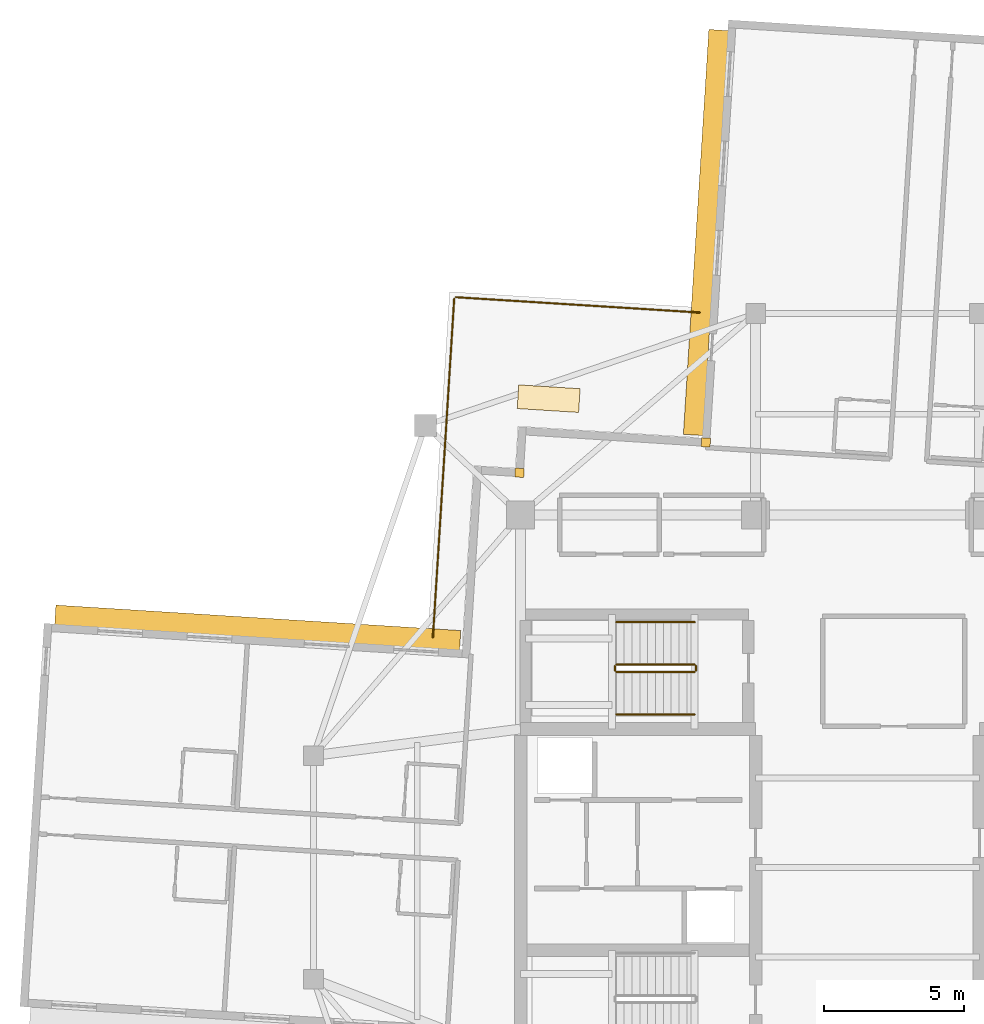
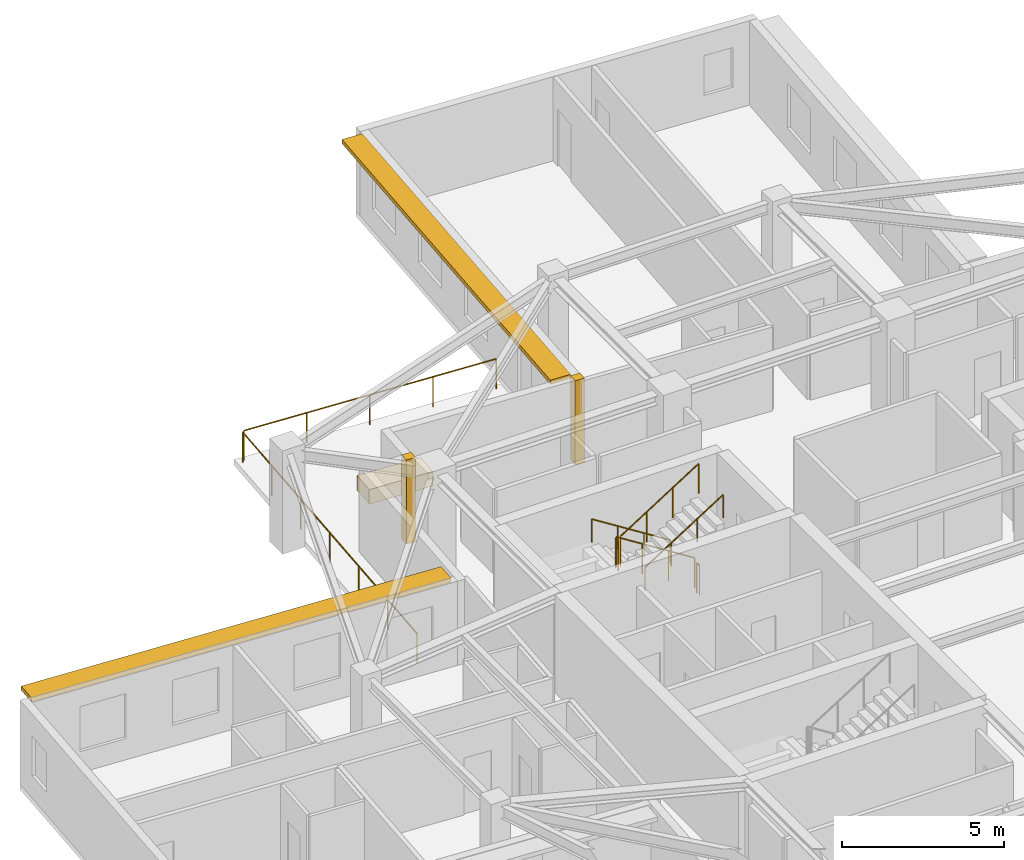
# One storey, part 11 of 12: 8 railings, 3 coverings, 2 shading devices.
"""IFC4 building model written with IfcOpenShell, lengths in metres."""

from ifc_helpers import new_model, si_unit, direction, frame, origin, origin_2d, place, context, subcontext, project, spatial, rectangle, circle, extrude, material, layer, layer_set, type_object, element, save


model = new_model("IFC4")

# Units and contexts
model_context = context("Model", 3, precision=1e-05, world=origin(), true_north=direction((0.0, 1.0)))
body_context = subcontext(model_context, "Body", "Model", "MODEL_VIEW")
ifc_project = project(units=[si_unit("LENGTHUNIT", "METRE"), si_unit("AREAUNIT", "SQUARE_METRE"), si_unit("VOLUMEUNIT", "CUBIC_METRE"), si_unit("PLANEANGLEUNIT", "RADIAN"), si_unit("MASSUNIT", "GRAM", prefix="KILO")], contexts=[model_context])

# Site, building, storey
site_placement = place(None, origin())
site = spatial("IfcSite", under=ifc_project, at=site_placement, CompositionType="ELEMENT")
building_placement = place(site_placement, origin())
building = spatial("IfcBuilding", under=site, at=building_placement, Name="Qingluan Cross Belvedere", CompositionType="ELEMENT")
storey_placement = place(building_placement, frame((0.0, 0.0, 249.89990234375)))
storey = spatial("IfcBuildingStorey", under=building, at=storey_placement, Name="L62", CompositionType="ELEMENT", Elevation=249.89990234375)

# Coverings
ifc_material_1 = material(Name="Precast concrete C45", Category="concrete")
ifc_layer_1 = layer(ifc_material_1, 0.1201171875, Name="ConcreteSpandrelCladding_120")
ifc_layer_set_1 = layer_set([ifc_layer_1], Name="Precast concrete C45")
covering_type_1 = type_object("IfcCoveringType", Name="ConcreteSpandrelCladding_120", PredefinedType="CLADDING", material=ifc_layer_set_1)
for number, where, z_axis, x_axis, name in (
    (1, (-12.438720703125, 14.10888671875, 0.0), (0.0, 0.0, 1.0), (0.998026728428, -0.062790519529, 0.0), "Corner closure L62-NW1"),
    (2, (-5.77734375, 15.192626953125, 0.0), (0.0, 0.0, 1.0), (0.998026728428, -0.062790519529, 0.0), "Corner closure L62-NW2"),
):
    element("IfcCovering", number, at=place(storey_placement, frame(where, z_axis=z_axis, x_axis=x_axis)), inside=storey, type_object=covering_type_1, Name=name, PredefinedType="CLADDING", context=body_context, shape_type="SweptSolid", body=[
        extrude(rectangle(XDim=0.320068359375, YDim=0.320068359375, at=origin_2d()), origin(), (0.0, 0.0, 1.0), 3.179931640625),
    ])

# Shading devices
ifc_material_2 = material(Name="Precast concrete C45", Category="concrete")
ifc_layer_2 = layer(ifc_material_2, 0.139892578125, Name="ConcreteSunshadeBand_700")
ifc_layer_set_2 = layer_set([ifc_layer_2], Name="Precast concrete C45")
shading_device_type = type_object("IfcShadingDeviceType", Name="ConcreteSunshadeBand_700", PredefinedType="USERDEFINED", material=ifc_layer_set_2)
for number, where, z_axis, x_axis, name in (
    (3, (-5.776123046875, 22.697509765625, 3.0), (0.0, 0.0, 1.0), (-0.062789090939, -0.998026818306, 0.0), "Concrete SUNSHADE L62-NB"),
    (4, (-21.794677734375, 8.575439453125, 3.0), (0.0, 0.0, 1.0), (-0.99802639199, 0.062795866837, 0.0), "Concrete SUNSHADE L62-WA"),
):
    element("IfcShadingDevice", number, at=place(storey_placement, frame(where, z_axis=z_axis, x_axis=x_axis)), inside=storey, type_object=shading_device_type, Name=name, ObjectType="SUNSHADE", PredefinedType="USERDEFINED", context=body_context, shape_type="SweptSolid", body=[
        extrude(rectangle(XDim=14.5, YDim=0.699951171875, at=origin_2d()), origin(), (0.0, 0.0, 1.0), 0.159912109375),
    ])

# Railings
ifc_material_3 = material(Name="Brushed stainless steel tubular handrail", Category="steel")
railing_type_1 = type_object("IfcRailingType", Name="StairPitchHandrail_900", PredefinedType="HANDRAIL", material=ifc_material_3)
railing_1_placement = place(storey_placement, frame((-6.179931640625, 8.77001953125, 0.177490234375)))
element("IfcRailing", 5, at=railing_1_placement, inside=storey, type_object=railing_type_1, Name="L62 ST3 stair handrail 1", PredefinedType="HANDRAIL", context=body_context, shape_type="SweptSolid", body=[
    extrude(circle(Radius=0.02392578125, at=origin_2d()), frame((0.0, 0.0, 0.8759765625), z_axis=(-0.844908973607, 0.0, 0.534910110503), x_axis=(0.0, -1.0, 0.0)), (0.0, 0.0, 1.0), 3.31396484375),
    extrude(circle(Radius=0.02099609375, at=origin_2d()), origin(), (0.0, 0.0, 1.0), 0.851806640625),
    extrude(circle(Radius=0.02099609375, at=origin_2d()), frame((-0.933349609375, 0.0, 0.5908203125)), (0.0, 0.0, 1.0), 0.851806640625),
    extrude(circle(Radius=0.02099609375, at=origin_2d()), frame((-1.86669921875, 0.0, 1.181884765625)), (0.0, 0.0, 1.0), 0.851806640625),
    extrude(circle(Radius=0.02099609375, at=origin_2d()), frame((-2.800048828125, 0.0, 1.772705078125)), (0.0, 0.0, 1.0), 0.851806640625),
])
railing_2_placement = place(storey_placement, frame((-8.97998046875, 5.469970703125, 2.12744140625)))
element("IfcRailing", 6, at=railing_2_placement, inside=storey, type_object=railing_type_1, Name="L62 ST3 stair handrail 2", PredefinedType="HANDRAIL", context=body_context, shape_type="SweptSolid", body=[
    extrude(circle(Radius=0.02392578125, at=origin_2d()), frame((0.0, 0.0, 0.8759765625), z_axis=(0.844908973607, 0.0, 0.534910110503), x_axis=(0.0, 1.0, 0.0)), (0.0, 0.0, 1.0), 3.31396484375),
    extrude(circle(Radius=0.02099609375, at=origin_2d()), origin(), (0.0, 0.0, 1.0), 0.851806640625),
    extrude(circle(Radius=0.02099609375, at=origin_2d()), frame((0.933349609375, 0.0, 0.5908203125)), (0.0, 0.0, 1.0), 0.851806640625),
    extrude(circle(Radius=0.02099609375, at=origin_2d()), frame((1.86669921875, 0.0, 1.181884765625)), (0.0, 0.0, 1.0), 0.851806640625),
    extrude(circle(Radius=0.02099609375, at=origin_2d()), frame((2.800048828125, 0.0, 1.772705078125)), (0.0, 0.0, 1.0), 0.851806640625),
])
ifc_material_4 = material(Name="Painted steel stair well guard", Category="steel")
railing_type_2 = type_object("IfcRailingType", Name="StairWellGuard_1150", PredefinedType="BALUSTRADE", material=ifc_material_4)
railing_3_placement = place(storey_placement, frame((-6.179931640625, 7.25, 0.177490234375)))
element("IfcRailing", 7, at=railing_3_placement, inside=storey, type_object=railing_type_2, Name="L62 ST3 stair guard 1", PredefinedType="BALUSTRADE", context=body_context, shape_type="SweptSolid", body=[
    extrude(circle(Radius=0.02392578125, at=origin_2d()), frame((0.0, 0.0, 1.1259765625), z_axis=(-0.844908973607, 0.0, 0.534910110503), x_axis=(0.0, -1.0, 0.0)), (0.0, 0.0, 1.0), 3.31396484375),
    extrude(circle(Radius=0.02099609375, at=origin_2d()), origin(), (0.0, 0.0, 1.0), 1.101806640625),
    extrude(circle(Radius=0.02099609375, at=origin_2d()), frame((-0.933349609375, 0.0, 0.5908203125)), (0.0, 0.0, 1.0), 1.101806640625),
    extrude(circle(Radius=0.02099609375, at=origin_2d()), frame((-1.86669921875, 0.0, 1.181884765625)), (0.0, 0.0, 1.0), 1.101806640625),
    extrude(circle(Radius=0.02099609375, at=origin_2d()), frame((-2.800048828125, 0.0, 1.772705078125)), (0.0, 0.0, 1.0), 1.101806640625),
])
railing_4_placement = place(storey_placement, frame((-9.030029296875, 7.199951171875, 1.9501953125)))
element("IfcRailing", 8, at=railing_4_placement, inside=storey, type_object=railing_type_2, Name="L62 ST3 stair guard 2", PredefinedType="BALUSTRADE", context=body_context, shape_type="SweptSolid", body=[
    extrude(circle(Radius=0.02392578125, at=origin_2d()), frame((0.0, 0.0, 1.1259765625), z_axis=(0.0, -1.0, 0.0), x_axis=(1.0, 0.0, 0.0)), (0.0, 0.0, 1.0), 0.159912109375),
    extrude(circle(Radius=0.02099609375, at=origin_2d()), origin(), (0.0, 0.0, 1.0), 1.101806640625),
    extrude(circle(Radius=0.02099609375, at=origin_2d()), frame((0.0, -0.159912109375, 0.0)), (0.0, 0.0, 1.0), 1.101806640625),
])
railing_5_placement = place(storey_placement, frame((-8.97998046875, 6.989990234375, 2.12744140625)))
element("IfcRailing", 9, at=railing_5_placement, inside=storey, type_object=railing_type_2, Name="L62 ST3 stair guard 3", PredefinedType="BALUSTRADE", context=body_context, shape_type="SweptSolid", body=[
    extrude(circle(Radius=0.02392578125, at=origin_2d()), frame((0.0, 0.0, 1.1259765625), z_axis=(0.844908973607, 0.0, 0.534910110503), x_axis=(0.0, 1.0, 0.0)), (0.0, 0.0, 1.0), 3.31396484375),
    extrude(circle(Radius=0.02099609375, at=origin_2d()), origin(), (0.0, 0.0, 1.0), 1.101806640625),
    extrude(circle(Radius=0.02099609375, at=origin_2d()), frame((0.933349609375, 0.0, 0.5908203125)), (0.0, 0.0, 1.0), 1.101806640625),
    extrude(circle(Radius=0.02099609375, at=origin_2d()), frame((1.86669921875, 0.0, 1.181884765625)), (0.0, 0.0, 1.0), 1.101806640625),
    extrude(circle(Radius=0.02099609375, at=origin_2d()), frame((2.800048828125, 0.0, 1.772705078125)), (0.0, 0.0, 1.0), 1.101806640625),
])
railing_6_placement = place(storey_placement, frame((-6.1298828125, 7.199951171875, 0.0)))
element("IfcRailing", 10, at=railing_6_placement, inside=storey, type_object=railing_type_2, Name="L62 ST3 stair guard 4", PredefinedType="BALUSTRADE", context=body_context, shape_type="SweptSolid", body=[
    extrude(circle(Radius=0.02392578125, at=origin_2d()), frame((0.0, 0.0, 1.1259765625), z_axis=(0.0, -1.0, 0.0), x_axis=(1.0, 0.0, 0.0)), (0.0, 0.0, 1.0), 0.159912109375),
    extrude(circle(Radius=0.02099609375, at=origin_2d()), origin(), (0.0, 0.0, 1.0), 1.101806640625),
    extrude(circle(Radius=0.02099609375, at=origin_2d()), frame((0.0, -0.159912109375, 0.0)), (0.0, 0.0, 1.0), 1.101806640625),
])
ifc_material_5 = material(Name="Laminated glass and stainless steel balustrade", Category="steel")
railing_type_3 = type_object("IfcRailingType", Name="TerraceGuardBalustrade_1150", PredefinedType="BALUSTRADE", material=ifc_material_5)
railing_7_placement = place(storey_placement, frame((-15.53369140625, 8.231689453125, 0.0)))
element("IfcRailing", 11, at=railing_7_placement, inside=storey, type_object=railing_type_3, Name="Terrace guard L62-1", PredefinedType="BALUSTRADE", context=body_context, shape_type="SweptSolid", body=[
    extrude(circle(Radius=0.02392578125, at=origin_2d()), frame((0.0, 0.0, 1.1259765625), z_axis=(0.062788368842, 0.998026863736, 0.0), x_axis=(-0.998026863736, 0.062788368842, 0.0)), (0.0, 0.0, 1.0), 12.119873046875),
    extrude(circle(Radius=0.02099609375, at=origin_2d()), origin(), (0.0, 0.0, 1.0), 1.101806640625),
    extrude(circle(Radius=0.02099609375, at=origin_2d()), frame((0.126953125, 2.01611328125, 0.0)), (0.0, 0.0, 1.0), 1.101806640625),
    extrude(circle(Radius=0.02099609375, at=origin_2d()), frame((0.253662109375, 4.031982421875, 0.0)), (0.0, 0.0, 1.0), 1.101806640625),
    extrude(circle(Radius=0.02099609375, at=origin_2d()), frame((0.38037109375, 6.0478515625, 0.0)), (0.0, 0.0, 1.0), 1.101806640625),
    extrude(circle(Radius=0.02099609375, at=origin_2d()), frame((0.50732421875, 8.06396484375, 0.0)), (0.0, 0.0, 1.0), 1.101806640625),
    extrude(circle(Radius=0.02099609375, at=origin_2d()), frame((0.63427734375, 10.080078125, 0.0)), (0.0, 0.0, 1.0), 1.101806640625),
    extrude(circle(Radius=0.02099609375, at=origin_2d()), frame((0.760986328125, 12.095947265625, 0.0)), (0.0, 0.0, 1.0), 1.101806640625),
])
railing_8_placement = place(storey_placement, frame((-14.708984375, 20.3837890625, 0.0)))
element("IfcRailing", 12, at=railing_8_placement, inside=storey, type_object=railing_type_3, Name="Terrace guard L62-2", PredefinedType="BALUSTRADE", context=body_context, shape_type="SweptSolid", body=[
    extrude(circle(Radius=0.02392578125, at=origin_2d()), frame((0.0, 0.0, 1.1259765625), z_axis=(0.998026125216, -0.062800106572, 0.0), x_axis=(0.062800106572, 0.998026125216, 0.0)), (0.0, 0.0, 1.0), 8.7197265625),
    extrude(circle(Radius=0.02099609375, at=origin_2d()), origin(), (0.0, 0.0, 1.0), 1.101806640625),
    extrude(circle(Radius=0.02099609375, at=origin_2d()), frame((2.17578125, -0.136962890625, 0.0)), (0.0, 0.0, 1.0), 1.101806640625),
    extrude(circle(Radius=0.02099609375, at=origin_2d()), frame((4.351318359375, -0.27392578125, 0.0)), (0.0, 0.0, 1.0), 1.101806640625),
    extrude(circle(Radius=0.02099609375, at=origin_2d()), frame((6.52685546875, -0.41064453125, 0.0)), (0.0, 0.0, 1.0), 1.101806640625),
    extrude(circle(Radius=0.02099609375, at=origin_2d()), frame((8.70263671875, -0.547607421875, 0.0)), (0.0, 0.0, 1.0), 1.101806640625),
])

# Covering
ifc_material_6 = material(Name="Precast concrete C40", Category="concrete")
ifc_layer_3 = layer(ifc_material_6, 0.550048828125, Name="TerracePlanterBox")
ifc_layer_set_3 = layer_set([ifc_layer_3], Name="Precast concrete C40")
covering_type_2 = type_object("IfcCoveringType", Name="TerracePlanterBox", PredefinedType="USERDEFINED", material=ifc_layer_set_3)
covering_placement = place(storey_placement, frame((-11.39599609375, 16.758056640625, 0.0), z_axis=(0.0, 0.0, 1.0), x_axis=(0.998026728428, -0.062790519529, 0.0)))
element("IfcCovering", 13, at=covering_placement, inside=storey, type_object=covering_type_2, Name="Spiralling winter-garden planter L62", ObjectType="PLANTER", PredefinedType="USERDEFINED", context=body_context, shape_type="SweptSolid", body=[
    extrude(rectangle(XDim=2.199951171875, YDim=0.85009765625, at=origin_2d()), origin(), (0.0, 0.0, 1.0), 0.550048828125),
])

save(model, "model.ifc")
